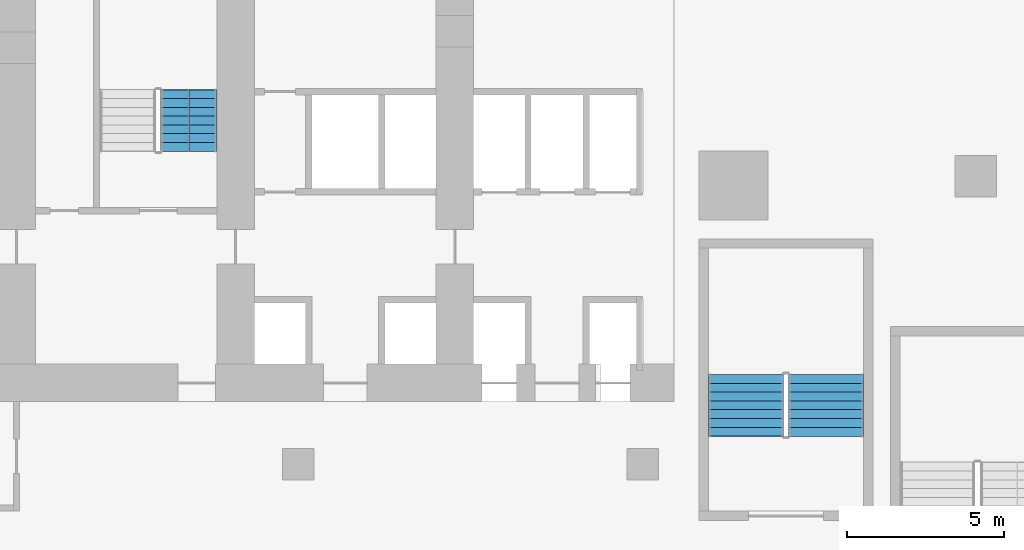
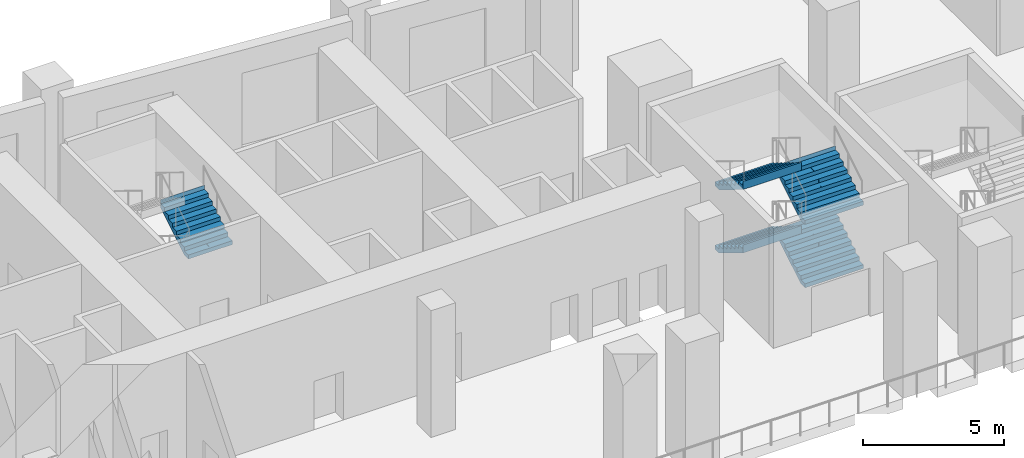
# One storey, part 19 of 25: 5 stair flights, 2 elements without a shape of their own.
"""IFC4 building model written with IfcOpenShell, lengths in metres."""

from ifc_helpers import new_model, si_unit, direction, frame, origin, place, context, subcontext, project, spatial, polyline, outline, extrude, material, type_object, element, aggregate, save


model = new_model("IFC4")

# Units and contexts
model_context = context("Model", 3, precision=1e-05, world=origin(), true_north=direction((0.0, 1.0)))
body_context = subcontext(model_context, "Body", "Model", "MODEL_VIEW")
ifc_project = project(units=[si_unit("LENGTHUNIT", "METRE"), si_unit("AREAUNIT", "SQUARE_METRE"), si_unit("VOLUMEUNIT", "CUBIC_METRE"), si_unit("PLANEANGLEUNIT", "RADIAN"), si_unit("MASSUNIT", "GRAM", prefix="KILO")], contexts=[model_context])

# Site, building, storey
site_placement = place(None, origin())
site = spatial("IfcSite", under=ifc_project, at=site_placement, CompositionType="ELEMENT")
building_placement = place(site_placement, origin())
building = spatial("IfcBuilding", under=site, at=building_placement, Name="Wharfspan Tower", CompositionType="ELEMENT")
storey_placement = place(building_placement, frame((0.0, 0.0, 27.5)))
storey = spatial("IfcBuildingStorey", under=building, at=storey_placement, Name="L04", CompositionType="ELEMENT", Elevation=27.5)

# Stair, stair flights
ifc_material = material(Name="Concrete C40/50", Category="concrete")
stair_type_1 = type_object("IfcStairType", Name="Half-turn stair 2400 wide 32 risers 172 mm", PredefinedType="HALF_TURN_STAIR", material=ifc_material)
stair_1_placement = place(storey_placement, origin())
stair_1 = element("IfcStair", 1, at=stair_1_placement, inside=storey, type_object=stair_type_1, Name="L04 stair PS4", PredefinedType="HALF_TURN_STAIR")
stair_flight_type_1 = type_object("IfcStairFlightType", Name="Stair flight 2400 wide 32 risers 172 mm", PredefinedType="STRAIGHT", material=ifc_material)
stair_flight_1_placement = place(storey_placement, frame((69.850098, 32.899902, 0.0), z_axis=(0.0, 0.0, 1.0), x_axis=(0.0, 1.0, 0.0)))
stair_flight_1 = element("IfcStairFlight", 2, at=stair_flight_1_placement, type_object=stair_flight_type_1, Name="PS4 flight 1", NumberOfRisers=8, NumberOfTreads=7, PredefinedType="STRAIGHT", RiserHeight=0.171875, TreadLength=0.28, context=body_context, shape_type="SweptSolid", body=[
    extrude(outline(polyline([(-0.011963, 0.0), (-0.011963, 0.171875), (0.0, 0.171875), (0.280029, 0.171875), (0.280029, 0.34375), (0.560059, 0.34375), (0.560059, 0.515625), (0.840088, 0.515625), (0.840088, 0.6875), (1.120117, 0.6875), (1.120117, 0.859375), (1.399902, 0.859375), (1.399902, 1.03125), (1.679932, 1.03125), (1.679932, 1.203125), (1.959961, 1.203125), (1.971924, 1.375), (1.971924, 1.027344), (0.286621, 0.0), (-0.011963, 0.0)])), frame((0.0, 1.199951, 0.0), z_axis=(0.0, -1.0, 0.0), x_axis=(1.0, 0.0, 0.0)), (0.0, 0.0, 1.0), 1.179443),
    extrude(outline(polyline([(-0.011963, 0.0), (-0.011963, 0.171875), (0.0, 0.171875), (0.280029, 0.171875), (0.280029, 0.34375), (0.560059, 0.34375), (0.560059, 0.515625), (0.840088, 0.515625), (0.840088, 0.6875), (1.120117, 0.6875), (1.120117, 0.859375), (1.399902, 0.859375), (1.399902, 1.03125), (1.679932, 1.03125), (1.679932, 1.203125), (1.959961, 1.203125), (1.971924, 1.375), (1.971924, 1.027344), (0.286621, 0.0), (-0.011963, 0.0)])), frame((0.0, 0.019531, 0.0), z_axis=(0.0, -1.0, 0.0), x_axis=(1.0, 0.0, 0.0)), (0.0, 0.0, 1.0), 0.019043),
    extrude(outline(polyline([(-0.011963, 0.0), (-0.011963, 0.171875), (0.0, 0.171875), (0.280029, 0.171875), (0.280029, 0.34375), (0.560059, 0.34375), (0.560059, 0.515625), (0.840088, 0.515625), (0.840088, 0.6875), (1.120117, 0.6875), (1.120117, 0.859375), (1.399902, 0.859375), (1.399902, 1.03125), (1.679932, 1.03125), (1.679932, 1.203125), (1.959961, 1.203125), (1.971924, 1.375), (1.971924, 1.027344), (0.286621, 0.0), (-0.011963, 0.0)])), frame((0.0, -0.000488, 0.0), z_axis=(0.0, -1.0, 0.0), x_axis=(1.0, 0.0, 0.0)), (0.0, 0.0, 1.0), 0.019043),
    extrude(outline(polyline([(-0.011963, 0.0), (-0.011963, 0.171875), (0.0, 0.171875), (0.280029, 0.171875), (0.280029, 0.34375), (0.560059, 0.34375), (0.560059, 0.515625), (0.840088, 0.515625), (0.840088, 0.6875), (1.120117, 0.6875), (1.120117, 0.859375), (1.399902, 0.859375), (1.399902, 1.03125), (1.679932, 1.03125), (1.679932, 1.203125), (1.959961, 1.203125), (1.971924, 1.375), (1.971924, 1.027344), (0.286621, 0.0), (-0.011963, 0.0)])), frame((0.0, -0.020508, 0.0), z_axis=(0.0, -1.0, 0.0), x_axis=(1.0, 0.0, 0.0)), (0.0, 0.0, 1.0), 1.179443),
])
stair_flight_2_placement = place(storey_placement, frame((67.300049, 34.860107, 1.375), z_axis=(0.0, 0.0, 1.0), x_axis=(0.0, -1.0, 0.0)))
stair_flight_2 = element("IfcStairFlight", 3, at=stair_flight_2_placement, type_object=stair_flight_type_1, Name="PS4 flight 2", NumberOfRisers=8, NumberOfTreads=7, PredefinedType="STRAIGHT", RiserHeight=0.171875, TreadLength=0.28, context=body_context, shape_type="SweptSolid", body=[
    extrude(outline(polyline([(-0.011963, 0.0), (-0.011963, 0.171875), (0.0, 0.171875), (0.280029, 0.171875), (0.280029, 0.34375), (0.560059, 0.34375), (0.560059, 0.515625), (0.840088, 0.515625), (0.840088, 0.6875), (1.120117, 0.6875), (1.120117, 0.859375), (1.399902, 0.859375), (1.399902, 1.03125), (1.679932, 1.03125), (1.679932, 1.203125), (1.959961, 1.203125), (1.971924, 1.375), (1.971924, 1.027344), (0.286621, 0.0), (-0.011963, 0.0)])), frame((0.0, 1.199951, 0.0), z_axis=(0.0, -1.0, 0.0), x_axis=(1.0, 0.0, 0.0)), (0.0, 0.0, 1.0), 1.179443),
    extrude(outline(polyline([(-0.011963, 0.0), (-0.011963, 0.171875), (0.0, 0.171875), (0.280029, 0.171875), (0.280029, 0.34375), (0.560059, 0.34375), (0.560059, 0.515625), (0.840088, 0.515625), (0.840088, 0.6875), (1.120117, 0.6875), (1.120117, 0.859375), (1.399902, 0.859375), (1.399902, 1.03125), (1.679932, 1.03125), (1.679932, 1.203125), (1.959961, 1.203125), (1.971924, 1.375), (1.971924, 1.027344), (0.286621, 0.0), (-0.011963, 0.0)])), frame((0.0, 0.019531, 0.0), z_axis=(0.0, -1.0, 0.0), x_axis=(1.0, 0.0, 0.0)), (0.0, 0.0, 1.0), 0.019043),
    extrude(outline(polyline([(-0.011963, 0.0), (-0.011963, 0.171875), (0.0, 0.171875), (0.280029, 0.171875), (0.280029, 0.34375), (0.560059, 0.34375), (0.560059, 0.515625), (0.840088, 0.515625), (0.840088, 0.6875), (1.120117, 0.6875), (1.120117, 0.859375), (1.399902, 0.859375), (1.399902, 1.03125), (1.679932, 1.03125), (1.679932, 1.203125), (1.959961, 1.203125), (1.971924, 1.375), (1.971924, 1.027344), (0.286621, 0.0), (-0.011963, 0.0)])), frame((0.0, -0.000488, 0.0), z_axis=(0.0, -1.0, 0.0), x_axis=(1.0, 0.0, 0.0)), (0.0, 0.0, 1.0), 0.019043),
    extrude(outline(polyline([(-0.011963, 0.0), (-0.011963, 0.171875), (0.0, 0.171875), (0.280029, 0.171875), (0.280029, 0.34375), (0.560059, 0.34375), (0.560059, 0.515625), (0.840088, 0.515625), (0.840088, 0.6875), (1.120117, 0.6875), (1.120117, 0.859375), (1.399902, 0.859375), (1.399902, 1.03125), (1.679932, 1.03125), (1.679932, 1.203125), (1.959961, 1.203125), (1.971924, 1.375), (1.971924, 1.027344), (0.286621, 0.0), (-0.011963, 0.0)])), frame((0.0, -0.020508, 0.0), z_axis=(0.0, -1.0, 0.0), x_axis=(1.0, 0.0, 0.0)), (0.0, 0.0, 1.0), 1.179443),
])
stair_flight_3_placement = place(storey_placement, frame((69.850098, 32.899902, 2.75), z_axis=(0.0, 0.0, 1.0), x_axis=(0.0, 1.0, 0.0)))
stair_flight_3 = element("IfcStairFlight", 4, at=stair_flight_3_placement, type_object=stair_flight_type_1, Name="PS4 flight 3", NumberOfRisers=8, NumberOfTreads=7, PredefinedType="STRAIGHT", RiserHeight=0.171875, TreadLength=0.28, context=body_context, shape_type="SweptSolid", body=[
    extrude(outline(polyline([(-0.011963, 0.0), (-0.011963, 0.171875), (0.0, 0.171875), (0.280029, 0.171875), (0.280029, 0.34375), (0.560059, 0.34375), (0.560059, 0.515625), (0.840088, 0.515625), (0.840088, 0.6875), (1.120117, 0.6875), (1.120117, 0.859375), (1.399902, 0.859375), (1.399902, 1.03125), (1.679932, 1.03125), (1.679932, 1.203125), (1.959961, 1.203125), (1.971924, 1.375), (1.971924, 1.027344), (0.286621, 0.0), (-0.011963, 0.0)])), frame((0.0, 1.199951, 0.0), z_axis=(0.0, -1.0, 0.0), x_axis=(1.0, 0.0, 0.0)), (0.0, 0.0, 1.0), 1.179443),
    extrude(outline(polyline([(-0.011963, 0.0), (-0.011963, 0.171875), (0.0, 0.171875), (0.280029, 0.171875), (0.280029, 0.34375), (0.560059, 0.34375), (0.560059, 0.515625), (0.840088, 0.515625), (0.840088, 0.6875), (1.120117, 0.6875), (1.120117, 0.859375), (1.399902, 0.859375), (1.399902, 1.03125), (1.679932, 1.03125), (1.679932, 1.203125), (1.959961, 1.203125), (1.971924, 1.375), (1.971924, 1.027344), (0.286621, 0.0), (-0.011963, 0.0)])), frame((0.0, 0.019531, 0.0), z_axis=(0.0, -1.0, 0.0), x_axis=(1.0, 0.0, 0.0)), (0.0, 0.0, 1.0), 0.019043),
    extrude(outline(polyline([(-0.011963, 0.0), (-0.011963, 0.171875), (0.0, 0.171875), (0.280029, 0.171875), (0.280029, 0.34375), (0.560059, 0.34375), (0.560059, 0.515625), (0.840088, 0.515625), (0.840088, 0.6875), (1.120117, 0.6875), (1.120117, 0.859375), (1.399902, 0.859375), (1.399902, 1.03125), (1.679932, 1.03125), (1.679932, 1.203125), (1.959961, 1.203125), (1.971924, 1.375), (1.971924, 1.027344), (0.286621, 0.0), (-0.011963, 0.0)])), frame((0.0, -0.000488, 0.0), z_axis=(0.0, -1.0, 0.0), x_axis=(1.0, 0.0, 0.0)), (0.0, 0.0, 1.0), 0.019043),
    extrude(outline(polyline([(-0.011963, 0.0), (-0.011963, 0.171875), (0.0, 0.171875), (0.280029, 0.171875), (0.280029, 0.34375), (0.560059, 0.34375), (0.560059, 0.515625), (0.840088, 0.515625), (0.840088, 0.6875), (1.120117, 0.6875), (1.120117, 0.859375), (1.399902, 0.859375), (1.399902, 1.03125), (1.679932, 1.03125), (1.679932, 1.203125), (1.959961, 1.203125), (1.971924, 1.375), (1.971924, 1.027344), (0.286621, 0.0), (-0.011963, 0.0)])), frame((0.0, -0.020508, 0.0), z_axis=(0.0, -1.0, 0.0), x_axis=(1.0, 0.0, 0.0)), (0.0, 0.0, 1.0), 1.179443),
])
stair_flight_4_placement = place(storey_placement, frame((67.300049, 34.860107, 4.125), z_axis=(0.0, 0.0, 1.0), x_axis=(0.0, -1.0, 0.0)))
stair_flight_4 = element("IfcStairFlight", 5, at=stair_flight_4_placement, type_object=stair_flight_type_1, Name="PS4 flight 4", NumberOfRisers=8, NumberOfTreads=7, PredefinedType="STRAIGHT", RiserHeight=0.171875, TreadLength=0.28, context=body_context, shape_type="SweptSolid", body=[
    extrude(outline(polyline([(-0.011963, 0.0), (-0.011963, 0.171875), (0.0, 0.171875), (0.280029, 0.171875), (0.280029, 0.34375), (0.560059, 0.34375), (0.560059, 0.515625), (0.840088, 0.515625), (0.840088, 0.6875), (1.120117, 0.6875), (1.120117, 0.859375), (1.399902, 0.859375), (1.399902, 1.03125), (1.679932, 1.03125), (1.679932, 1.203125), (1.959961, 1.203125), (1.971924, 1.375), (1.971924, 1.027344), (0.286621, 0.0), (-0.011963, 0.0)])), frame((0.0, 1.199951, 0.0), z_axis=(0.0, -1.0, 0.0), x_axis=(1.0, 0.0, 0.0)), (0.0, 0.0, 1.0), 1.179443),
    extrude(outline(polyline([(-0.011963, 0.0), (-0.011963, 0.171875), (0.0, 0.171875), (0.280029, 0.171875), (0.280029, 0.34375), (0.560059, 0.34375), (0.560059, 0.515625), (0.840088, 0.515625), (0.840088, 0.6875), (1.120117, 0.6875), (1.120117, 0.859375), (1.399902, 0.859375), (1.399902, 1.03125), (1.679932, 1.03125), (1.679932, 1.203125), (1.959961, 1.203125), (1.971924, 1.375), (1.971924, 1.027344), (0.286621, 0.0), (-0.011963, 0.0)])), frame((0.0, 0.019531, 0.0), z_axis=(0.0, -1.0, 0.0), x_axis=(1.0, 0.0, 0.0)), (0.0, 0.0, 1.0), 0.019043),
    extrude(outline(polyline([(-0.011963, 0.0), (-0.011963, 0.171875), (0.0, 0.171875), (0.280029, 0.171875), (0.280029, 0.34375), (0.560059, 0.34375), (0.560059, 0.515625), (0.840088, 0.515625), (0.840088, 0.6875), (1.120117, 0.6875), (1.120117, 0.859375), (1.399902, 0.859375), (1.399902, 1.03125), (1.679932, 1.03125), (1.679932, 1.203125), (1.959961, 1.203125), (1.971924, 1.375), (1.971924, 1.027344), (0.286621, 0.0), (-0.011963, 0.0)])), frame((0.0, -0.000488, 0.0), z_axis=(0.0, -1.0, 0.0), x_axis=(1.0, 0.0, 0.0)), (0.0, 0.0, 1.0), 0.019043),
    extrude(outline(polyline([(-0.011963, 0.0), (-0.011963, 0.171875), (0.0, 0.171875), (0.280029, 0.171875), (0.280029, 0.34375), (0.560059, 0.34375), (0.560059, 0.515625), (0.840088, 0.515625), (0.840088, 0.6875), (1.120117, 0.6875), (1.120117, 0.859375), (1.399902, 0.859375), (1.399902, 1.03125), (1.679932, 1.03125), (1.679932, 1.203125), (1.959961, 1.203125), (1.971924, 1.375), (1.971924, 1.027344), (0.286621, 0.0), (-0.011963, 0.0)])), frame((0.0, -0.020508, 0.0), z_axis=(0.0, -1.0, 0.0), x_axis=(1.0, 0.0, 0.0)), (0.0, 0.0, 1.0), 1.179443),
])
aggregate(stair_1, [stair_flight_1, stair_flight_2, stair_flight_3, stair_flight_4])

# Stair, stair flight
stair_type_2 = type_object("IfcStairType", Name="Half-turn stair 32 risers 172 mm", PredefinedType="HALF_TURN_STAIR", material=ifc_material)
stair_2_placement = place(storey_placement, origin())
stair_2 = element("IfcStair", 6, at=stair_2_placement, inside=storey, type_object=stair_type_2, Name="L04 stair ST2", PredefinedType="HALF_TURN_STAIR")
stair_flight_type_2 = type_object("IfcStairFlightType", Name="Stair flight 32 risers 172 mm", PredefinedType="STRAIGHT", material=ifc_material)
stair_flight_5_placement = place(storey_placement, frame((49.5, 42.0, 2.75), z_axis=(0.0, 0.0, 1.0), x_axis=(0.0, 1.0, 0.0)))
stair_flight_5 = element("IfcStairFlight", 7, at=stair_flight_5_placement, type_object=stair_flight_type_2, Name="ST2 flight 3", NumberOfRisers=8, NumberOfTreads=7, PredefinedType="STRAIGHT", RiserHeight=0.171875, TreadLength=0.28, context=body_context, shape_type="SweptSolid", body=[
    extrude(outline(polyline([(-0.011963, 0.0), (-0.011963, 0.171875), (0.0, 0.171875), (0.280029, 0.171875), (0.280029, 0.34375), (0.560059, 0.34375), (0.560059, 0.515625), (0.840088, 0.515625), (0.840088, 0.6875), (1.120117, 0.6875), (1.120117, 0.859375), (1.399902, 0.859375), (1.399902, 1.03125), (1.679932, 1.03125), (1.679932, 1.203125), (1.959961, 1.203125), (1.971924, 1.375), (1.971924, 1.027344), (0.286621, 0.0), (-0.011963, 0.0)])), frame((0.0, 0.899902, 0.0), z_axis=(0.0, -1.0, 0.0), x_axis=(1.0, 0.0, 0.0)), (0.0, 0.0, 1.0), 0.899414),
    extrude(outline(polyline([(-0.011963, 0.0), (-0.011963, 0.171875), (0.0, 0.171875), (0.280029, 0.171875), (0.280029, 0.34375), (0.560059, 0.34375), (0.560059, 0.515625), (0.840088, 0.515625), (0.840088, 0.6875), (1.120117, 0.6875), (1.120117, 0.859375), (1.399902, 0.859375), (1.399902, 1.03125), (1.679932, 1.03125), (1.679932, 1.203125), (1.959961, 1.203125), (1.971924, 1.375), (1.971924, 1.027344), (0.286621, 0.0), (-0.011963, 0.0)])), frame((0.0, -0.000488, 0.0), z_axis=(0.0, -1.0, 0.0), x_axis=(1.0, 0.0, 0.0)), (0.0, 0.0, 1.0), 0.899414),
])
aggregate(stair_2, [stair_flight_5])

save(model, "model.ifc")
